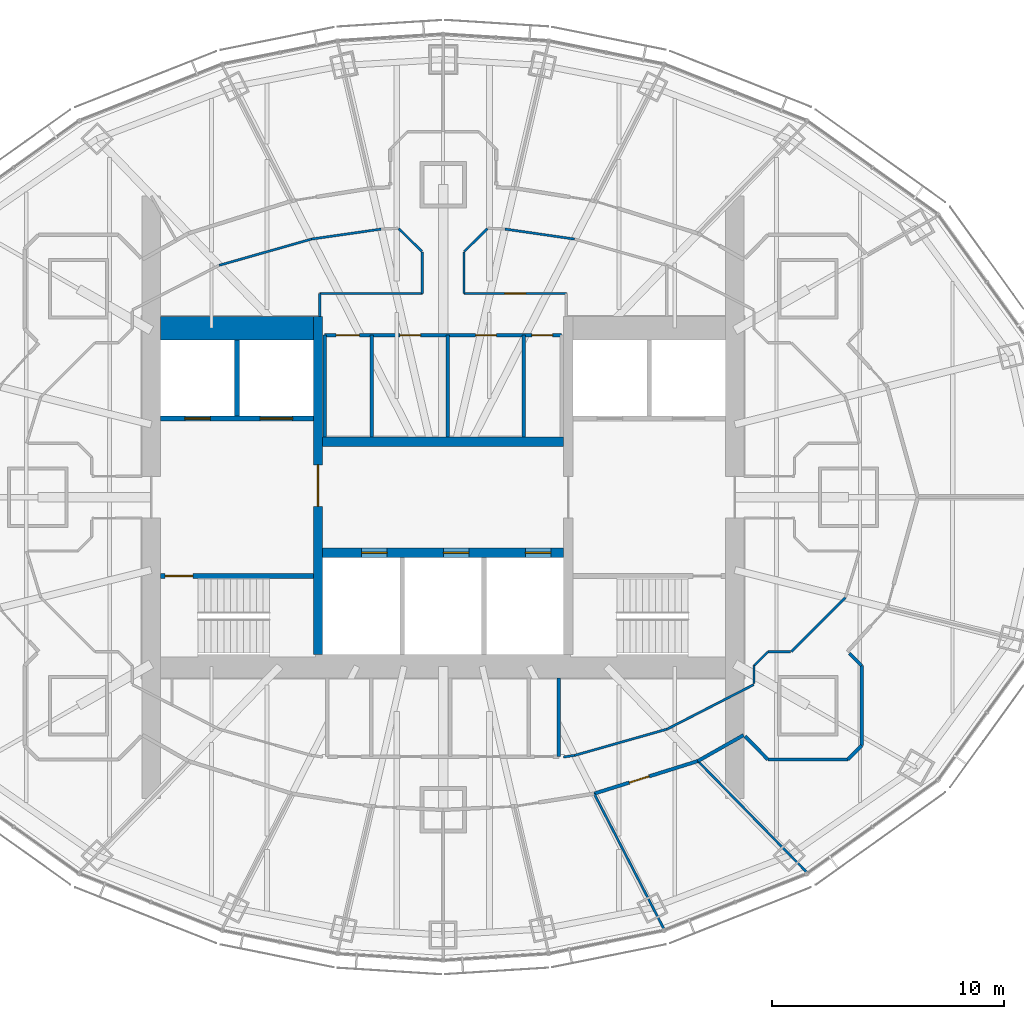
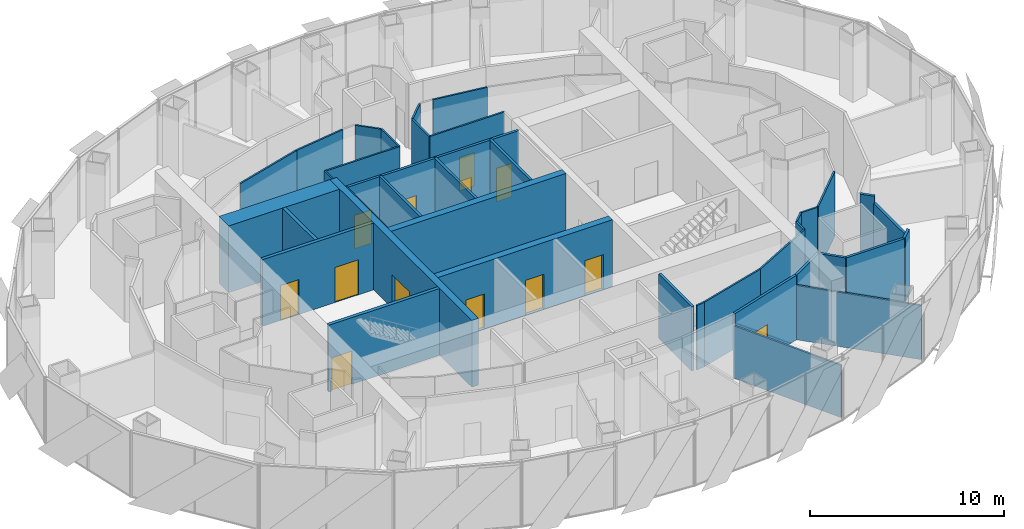
# One storey, part 13 of 18: 39 walls, 13 doors, 13 openings.
"""IFC4 building model written with IfcOpenShell, lengths in metres."""

import ifcopenshell
import ifcopenshell.guid

model = None  # the IFC model being written
_history = None  # IfcOwnerHistory: only IFC2X3 demands one
_inside = {}  # id of a spatial element -> (the spatial element, [elements in it])
_under = {}  # id of a project, library or spatial element -> (it, [spatial elements below it])
_declared = {}  # id of a project -> (the project, [libraries it declares])
_typed = {}  # id of a type object -> (the type object, [elements of that type])
_made_of = {}  # id of a material, layer set ... -> (it, [elements and type objects made of it])


def new_model(schema):
    """Start an empty IFC model of exactly this schema.

    Asked for "IFC4X3", IfcOpenShell would pick the latest addendum, in which some entities
    have other attributes; the version numbers below select the first issue.
    IFC2X3 requires an IfcOwnerHistory on every rooted entity: one is made here for all.
    """
    global model, _history
    if schema == "IFC4X3":
        model = ifcopenshell.file(schema_version=(4, 3, 0, 0))
    else:
        model = ifcopenshell.file(schema=schema)
    _inside.clear()
    _under.clear()
    _declared.clear()
    _typed.clear()
    _made_of.clear()
    _history = None
    if model.schema == "IFC2X3":
        org = make("IfcOrganization", Name="unknown")
        user = make(
            "IfcPersonAndOrganization",
            ThePerson=make("IfcPerson", FamilyName="unknown"),
            TheOrganization=org,
        )
        app = make(
            "IfcApplication",
            ApplicationDeveloper=org,
            Version="unknown",
            ApplicationFullName="unknown",
            ApplicationIdentifier="unknown",
        )
        _history = make(
            "IfcOwnerHistory",
            OwningUser=user,
            OwningApplication=app,
            ChangeAction="ADDED",
            CreationDate=0,
        )
    return model


def make(cls, **values):
    """One entity of the class cls with the attributes given. An attribute that is None is left unset."""
    return model.create_entity(
        cls, **{name: value for name, value in values.items() if value is not None}
    )


def rooted(cls, **values):
    """An entity with a GlobalId (a new one), such as an element, a storey or a relation."""
    return make(cls, GlobalId=ifcopenshell.guid.new(), OwnerHistory=_history, **values)


def si_unit(unit_type, name, prefix=None):
    """IfcSIUnit, for example si_unit("LENGTHUNIT", "METRE", prefix="MILLI")."""
    return make("IfcSIUnit", UnitType=unit_type, Prefix=prefix, Name=name)


def assignment(units):
    """IfcUnitAssignment: the units of a project."""
    return None if units is None else make("IfcUnitAssignment", Units=units)


def point(xyz):
    """IfcCartesianPoint."""
    return None if xyz is None else make("IfcCartesianPoint", Coordinates=xyz)


def direction(xyz):
    """IfcDirection."""
    return None if xyz is None else make("IfcDirection", DirectionRatios=xyz)


def frame(location, z_axis=None, x_axis=None):
    """IfcAxis2Placement3D, a coordinate frame: its origin and axes. An axis left out is left unset."""
    return make(
        "IfcAxis2Placement3D",
        Location=point(location),
        Axis=direction(z_axis),
        RefDirection=direction(x_axis),
    )


def frame_2d(location, x_axis=None):
    """IfcAxis2Placement2D, a coordinate frame in the plane: its origin and x axis."""
    return make(
        "IfcAxis2Placement2D", Location=point(location), RefDirection=direction(x_axis)
    )


def origin():
    """The frame at (0, 0, 0) with its axes left unset."""
    return frame((0.0, 0.0, 0.0))


def place(relative_to, where):
    """IfcLocalPlacement: puts the frame where relative to a parent placement (None: the world)."""
    return make(
        "IfcLocalPlacement", PlacementRelTo=relative_to, RelativePlacement=where
    )


def context(
    kind, dimensions, precision=None, world=None, true_north=None, identifier=None
):
    """IfcGeometricRepresentationContext, for example the 3D "Model" context."""
    return make(
        "IfcGeometricRepresentationContext",
        ContextIdentifier=identifier,
        ContextType=kind,
        CoordinateSpaceDimension=dimensions,
        Precision=precision,
        WorldCoordinateSystem=world,
        TrueNorth=true_north,
    )


def subcontext(parent, identifier, kind, view, scale=None):
    """IfcGeometricRepresentationSubContext, for example "Body" below "Model"."""
    return make(
        "IfcGeometricRepresentationSubContext",
        ContextIdentifier=identifier,
        ContextType=kind,
        ParentContext=parent,
        TargetScale=scale,
        TargetView=view,
    )


def project(units=None, contexts=None):
    """IfcProject with its units and contexts."""
    return rooted(
        "IfcProject",
        Name="project",
        RepresentationContexts=contexts,
        UnitsInContext=assignment(units),
    )


def spatial(cls, under=None, at=None, **own):
    """A site, building, storey or space (cls), placed at a placement, below another one or the project."""
    s = rooted(cls, ObjectPlacement=at, **own)
    if under is not None:
        _under.setdefault(under.id(), (under, []))[1].append(s)
    return s


def profile(cls, at=None, kind="AREA", **sizes):
    """A parametric profile (cls). Its sizes go by their IFC names, for example OverallWidth=200.0."""
    return make(cls, ProfileType=kind, Position=at, **sizes)


def rectangle(**sizes):
    """IfcRectangleProfileDef."""
    return profile("IfcRectangleProfileDef", **sizes)


def extrude(swept, where, along, depth):
    """IfcExtrudedAreaSolid: the profile swept, set in the frame where, extruded along a direction by depth."""
    return make(
        "IfcExtrudedAreaSolid",
        SweptArea=swept,
        Position=where,
        ExtrudedDirection=direction(along),
        Depth=depth,
    )


def shape(context_of_items, identifier, shape_type, items):
    """IfcShapeRepresentation: the items that make up one representation, for example the "Body"."""
    return make(
        "IfcShapeRepresentation",
        ContextOfItems=context_of_items,
        RepresentationIdentifier=identifier,
        RepresentationType=shape_type,
        Items=items,
    )


def material(Name=None, Category=None):
    """IfcMaterial."""
    return make("IfcMaterial", Name=Name, Category=Category)


def layer(
    of_material, thickness, ventilated=None, Name=None, Category=None, Priority=None
):
    """IfcMaterialLayer: one layer of a wall or slab, of a material (None: an air gap)."""
    return make(
        "IfcMaterialLayer",
        Material=of_material,
        LayerThickness=thickness,
        IsVentilated=ventilated,
        Name=Name,
        Category=Category,
        Priority=Priority,
    )


def layer_set(layers, Name=None):
    """IfcMaterialLayerSet."""
    return make("IfcMaterialLayerSet", MaterialLayers=layers, LayerSetName=Name)


def made_of(thing, what):
    """Note that an element or type object is made of a material, layer set ...; save() writes the relation."""
    if what is not None:
        _made_of.setdefault(what.id(), (what, []))[1].append(thing)
    return thing


def type_object(cls, material=None, **own):
    """A type object (cls), such as IfcWallType, which elements share."""
    return made_of(rooted(cls, **own), material)


def element(
    cls,
    number,
    at=None,
    inside=None,
    cuts=None,
    type_object=None,
    material=None,
    context=None,
    identifier="Body",
    shape_type=None,
    held_by="IfcProductDefinitionShape",
    body=None,
    shapes=None,
    **own,
):
    """One element of the class cls, such as IfcWall. Its Tag is "e" and its number.

    at: its placement. inside: the storey or other place that contains it. cuts: it is an
    opening in that element (IfcRelVoidsElement). A single representation is given by context,
    identifier, shape_type and body (its items); several are given by shapes. held_by: the class
    of the entity that holds the representations. save() writes the other relations.
    """
    e = rooted(cls, Tag="e%d" % number, ObjectPlacement=at, **own)
    if body is not None:
        shapes = [shape(context, identifier, shape_type, body)]
    if shapes is not None:
        e.Representation = make(held_by, Representations=shapes)
    if inside is not None:
        _inside.setdefault(inside.id(), (inside, []))[1].append(e)
    if cuts is not None:
        rooted(
            "IfcRelVoidsElement", RelatingBuildingElement=cuts, RelatedOpeningElement=e
        )
    if type_object is not None:
        _typed.setdefault(type_object.id(), (type_object, []))[1].append(e)
    return made_of(e, material)


def fill(opening, filler):
    """IfcRelFillsElement: the door or window that sits in an opening."""
    return rooted(
        "IfcRelFillsElement",
        RelatingOpeningElement=opening,
        RelatedBuildingElement=filler,
    )


def aggregate(whole, parts):
    """IfcRelAggregates: a whole, such as a stair, and the parts it consists of."""
    return rooted("IfcRelAggregates", RelatingObject=whole, RelatedObjects=parts)


def save(model, path):
    """Write the relations noted so far, then the file.

    IfcRelAggregates (storeys below a building ...), IfcRelContainedInSpatialStructure (elements
    in a storey), IfcRelDefinesByType, IfcRelAssociatesMaterial and IfcRelDeclares: one each for
    every whole, place, type object, material and project.
    """
    for whole, parts in _under.values():
        aggregate(whole, parts)
    for where, things in _inside.values():
        rooted(
            "IfcRelContainedInSpatialStructure",
            RelatedElements=things,
            RelatingStructure=where,
        )
    for kind, things in _typed.values():
        rooted("IfcRelDefinesByType", RelatedObjects=things, RelatingType=kind)
    for what, things in _made_of.values():
        rooted("IfcRelAssociatesMaterial", RelatedObjects=things, RelatingMaterial=what)
    for by, libraries in _declared.values():
        rooted("IfcRelDeclares", RelatingContext=by, RelatedDefinitions=libraries)
    model.write(path)


model = new_model("IFC4")

# Units and contexts
model_context = context("Model", 3, precision=1e-05, world=origin(), true_north=direction((0.0, 1.0)))
body_context = subcontext(model_context, "Body", "Model", "MODEL_VIEW")
ifc_project = project(units=[si_unit("LENGTHUNIT", "METRE"), si_unit("AREAUNIT", "SQUARE_METRE"), si_unit("VOLUMEUNIT", "CUBIC_METRE"), si_unit("PLANEANGLEUNIT", "RADIAN"), si_unit("MASSUNIT", "GRAM", prefix="KILO")], contexts=[model_context])

# Site, building, storey
site_placement = place(None, origin())
site = spatial("IfcSite", under=ifc_project, at=site_placement, CompositionType="ELEMENT")
building_placement = place(site_placement, origin())
building = spatial("IfcBuilding", under=site, at=building_placement, Name="Lantaw Convention Tower", CompositionType="ELEMENT")
storey_placement = place(building_placement, frame((0.0, 0.0, 228.39990234375)))
storey = spatial("IfcBuildingStorey", under=building, at=storey_placement, Name="L53", CompositionType="ELEMENT", Elevation=228.39990234375)

# Wall
ifc_material_1 = material(Name="Concrete C60/75", Category="concrete")
ifc_layer_1 = layer(ifc_material_1, 1.0)
ifc_layer_set_1 = layer_set([ifc_layer_1], Name="Core wall 1000")
wall_type_1 = type_object("IfcWallType", Name="Core wall 1000", PredefinedType="SHEAR", material=ifc_layer_set_1)
wall_1_placement = place(storey_placement, frame((-5.60009765625, 7.300048828125, 0.0), z_axis=(0.0, 0.0, 1.0), x_axis=(-1.0, 0.0, 0.0)))
element("IfcWall", 1, at=wall_1_placement, inside=storey, type_object=wall_type_1, Name="Core wall NW", PredefinedType="SHEAR", context=body_context, shape_type="SweptSolid", body=[
    extrude(rectangle(XDim=6.599853515625, YDim=1.0, at=frame_2d((3.2998046875, 0.0))), origin(), (0.0, 0.0, 1.0), 4.2001953125),
])

# Wall, opening, door
ifc_layer_2 = layer(ifc_material_1, 0.199951171875)
ifc_layer_set_2 = layer_set([ifc_layer_2], Name="Core wall 200")
wall_type_2 = type_object("IfcWallType", Name="Core wall 200", PredefinedType="SHEAR", material=ifc_layer_set_2)
wall_2_placement = place(storey_placement, frame((-5.60009765625, -3.39990234375, 0.0), z_axis=(0.0, 0.0, 1.0), x_axis=(-1.0, 0.0, 0.0)))
wall_2 = element("IfcWall", 2, at=wall_2_placement, inside=storey, type_object=wall_type_2, Name="Core wall WS", PredefinedType="SHEAR", context=body_context, shape_type="SweptSolid", body=[
    extrude(rectangle(XDim=6.599853515625, YDim=0.199951171875, at=frame_2d((3.2998046875, 0.0))), origin(), (0.0, 0.0, 1.0), 4.2001953125),
])
opening_1_placement = place(wall_2_placement, frame((5.199951171875, 0.0, 0.0)))
opening_1 = element("IfcOpeningElement", 3, at=opening_1_placement, cuts=wall_2, Name="Opening L53.04", PredefinedType="OPENING", context=body_context, shape_type="SweptSolid", body=[
    extrude(rectangle(XDim=1.199951171875, YDim=2.10009765625, at=frame_2d((0.60009765625, 1.050048828125))), frame((0.0, 0.10986328125, 0.0), z_axis=(0.0, -1.0, 0.0), x_axis=(1.0, 0.0, 0.0)), (0.0, 0.0, 1.0), 0.219970703125),
])
ifc_material_2 = material(Name="Steel, fire rated", Category="steel")
door_type_1 = type_object("IfcDoorType", Name="Stair door FD90", OperationType="SINGLE_SWING_RIGHT", PredefinedType="DOOR", material=ifc_material_2)
door_1_placement = place(opening_1_placement, origin())
door_1 = element("IfcDoor", 4, at=door_1_placement, inside=storey, type_object=door_type_1, Name="Exit stair door", OperationType="SINGLE_SWING_RIGHT", OverallHeight=2.10009765625, OverallWidth=1.199951171875, PredefinedType="DOOR", context=body_context, shape_type="SweptSolid", body=[
    extrude(rectangle(XDim=1.199951171875, YDim=2.10009765625, at=frame_2d((0.60009765625, 1.050048828125))), frame((0.0, 0.02490234375, 0.0), z_axis=(0.0, -1.0, 0.0), x_axis=(1.0, 0.0, 0.0)), (0.0, 0.0, 1.0), 0.050048828125),
])
fill(opening_1, door_1)

ifc_layer_3 = layer(ifc_material_1, 0.39990234375)
ifc_layer_set_3 = layer_set([ifc_layer_3], Name="Core wall 400")
wall_type_3 = type_object("IfcWallType", Name="Core wall 400", PredefinedType="SHEAR", material=ifc_layer_set_3)
wall_3_placement = place(storey_placement, frame((-5.39990234375, 7.800048828125, 0.0), z_axis=(0.0, 0.0, 1.0), x_axis=(0.0, -1.0, 0.0)))
wall_3 = element("IfcWall", 5, at=wall_3_placement, inside=storey, type_object=wall_type_3, Name="Core wall XW", PredefinedType="SHEAR", context=body_context, shape_type="SweptSolid", body=[
    extrude(rectangle(XDim=14.60009765625, YDim=0.39990234375, at=frame_2d((7.300048828125, 0.0))), origin(), (0.0, 0.0, 1.0), 4.2001953125),
])
opening_2_placement = place(wall_3_placement, frame((6.39990234375, 0.0, 0.0)))
opening_2 = element("IfcOpeningElement", 6, at=opening_2_placement, cuts=wall_3, Name="Opening L53.02", PredefinedType="OPENING", context=body_context, shape_type="SweptSolid", body=[
    extrude(rectangle(XDim=1.800048828125, YDim=2.10009765625, at=frame_2d((0.89990234375, 1.050048828125))), frame((0.0, 0.2099609375, 0.0), z_axis=(0.0, -1.0, 0.0), x_axis=(1.0, 0.0, 0.0)), (0.0, 0.0, 1.0), 0.419921875),
])
door_type_2 = type_object("IfcDoorType", Name="Lobby double door FD90", OperationType="DOUBLE_DOOR_DOUBLE_SWING", PredefinedType="DOOR", material=ifc_material_2)
door_2_placement = place(opening_2_placement, origin())
door_2 = element("IfcDoor", 7, at=door_2_placement, inside=storey, type_object=door_type_2, Name="Lift lobby door", OperationType="DOUBLE_DOOR_DOUBLE_SWING", OverallHeight=2.10009765625, OverallWidth=1.800048828125, PredefinedType="DOOR", context=body_context, shape_type="SweptSolid", body=[
    extrude(rectangle(XDim=1.800048828125, YDim=2.10009765625, at=frame_2d((0.89990234375, 1.050048828125))), frame((0.0, 0.02490234375, 0.0), z_axis=(0.0, -1.0, 0.0), x_axis=(1.0, 0.0, 0.0)), (0.0, 0.0, 1.0), 0.050048828125),
])
fill(opening_2, door_2)

# Wall, openings, doors
wall_4_placement = place(storey_placement, frame((-5.199951171875, -2.39990234375, 0.0), z_axis=(0.0, 0.0, 1.0), x_axis=(1.0, 0.0, 0.0)))
wall_4 = element("IfcWall", 8, at=wall_4_placement, inside=storey, type_object=wall_type_3, Name="Core wall BS", PredefinedType="SHEAR", context=body_context, shape_type="SweptSolid", body=[
    extrude(rectangle(XDim=10.39990234375, YDim=0.39990234375, at=frame_2d((5.199951171875, 0.0))), origin(), (0.0, 0.0, 1.0), 4.2001953125),
])
opening_3_placement = place(wall_4_placement, frame((1.683349609375, 0.0, 0.0)))
opening_3 = element("IfcOpeningElement", 9, at=opening_3_placement, cuts=wall_4, Name="Opening L53.07", PredefinedType="OPENING", context=body_context, shape_type="SweptSolid", body=[
    extrude(rectangle(XDim=1.10009765625, YDim=2.199951171875, at=frame_2d((0.550048828125, 1.10009765625))), frame((0.0, 0.2099609375, 0.0), z_axis=(0.0, -1.0, 0.0), x_axis=(1.0, 0.0, 0.0)), (0.0, 0.0, 1.0), 0.419921875),
])
opening_4_placement = place(wall_4_placement, frame((5.216796875, 0.0, 0.0)))
opening_4 = element("IfcOpeningElement", 10, at=opening_4_placement, cuts=wall_4, Name="Opening L53.08", PredefinedType="OPENING", context=body_context, shape_type="SweptSolid", body=[
    extrude(rectangle(XDim=1.10009765625, YDim=2.199951171875, at=frame_2d((0.550048828125, 1.10009765625))), frame((0.0, 0.2099609375, 0.0), z_axis=(0.0, -1.0, 0.0), x_axis=(1.0, 0.0, 0.0)), (0.0, 0.0, 1.0), 0.419921875),
])
opening_5_placement = place(wall_4_placement, frame((8.75, 0.0, 0.0)))
opening_5 = element("IfcOpeningElement", 11, at=opening_5_placement, cuts=wall_4, Name="Opening L53.09", PredefinedType="OPENING", context=body_context, shape_type="SweptSolid", body=[
    extrude(rectangle(XDim=1.10009765625, YDim=2.199951171875, at=frame_2d((0.550048828125, 1.10009765625))), frame((0.0, 0.2099609375, 0.0), z_axis=(0.0, -1.0, 0.0), x_axis=(1.0, 0.0, 0.0)), (0.0, 0.0, 1.0), 0.419921875),
])
ifc_material_3 = material(Name="Stainless steel", Category="steel")
door_type_3 = type_object("IfcDoorType", Name="Lift landing door 1100", OperationType="DOUBLE_DOOR_SLIDING", PredefinedType="DOOR", material=ifc_material_3)
door_3_placement = place(opening_3_placement, origin())
door_3 = element("IfcDoor", 12, at=door_3_placement, inside=storey, type_object=door_type_3, Name="Lift landing door S1", OperationType="DOUBLE_DOOR_SLIDING", OverallHeight=2.199951171875, OverallWidth=1.10009765625, PredefinedType="DOOR", context=body_context, shape_type="SweptSolid", body=[
    extrude(rectangle(XDim=1.10009765625, YDim=2.199951171875, at=frame_2d((0.550048828125, 1.10009765625))), frame((0.0, 0.02490234375, 0.0), z_axis=(0.0, -1.0, 0.0), x_axis=(1.0, 0.0, 0.0)), (0.0, 0.0, 1.0), 0.050048828125),
])
fill(opening_3, door_3)
door_4_placement = place(opening_4_placement, origin())
door_4 = element("IfcDoor", 13, at=door_4_placement, inside=storey, type_object=door_type_3, Name="Lift landing door S2", OperationType="DOUBLE_DOOR_SLIDING", OverallHeight=2.199951171875, OverallWidth=1.10009765625, PredefinedType="DOOR", context=body_context, shape_type="SweptSolid", body=[
    extrude(rectangle(XDim=1.10009765625, YDim=2.199951171875, at=frame_2d((0.550048828125, 1.10009765625))), frame((0.0, 0.02490234375, 0.0), z_axis=(0.0, -1.0, 0.0), x_axis=(1.0, 0.0, 0.0)), (0.0, 0.0, 1.0), 0.050048828125),
])
fill(opening_4, door_4)
door_5_placement = place(opening_5_placement, origin())
door_5 = element("IfcDoor", 14, at=door_5_placement, inside=storey, type_object=door_type_3, Name="Lift landing door S3", OperationType="DOUBLE_DOOR_SLIDING", OverallHeight=2.199951171875, OverallWidth=1.10009765625, PredefinedType="DOOR", context=body_context, shape_type="SweptSolid", body=[
    extrude(rectangle(XDim=1.10009765625, YDim=2.199951171875, at=frame_2d((0.550048828125, 1.10009765625))), frame((0.0, 0.02490234375, 0.0), z_axis=(0.0, -1.0, 0.0), x_axis=(1.0, 0.0, 0.0)), (0.0, 0.0, 1.0), 0.050048828125),
])
fill(opening_5, door_5)

# Wall
wall_5_placement = place(storey_placement, frame((5.199951171875, 2.39990234375, 0.0), z_axis=(0.0, 0.0, 1.0), x_axis=(-1.0, 0.0, 0.0)))
element("IfcWall", 15, at=wall_5_placement, inside=storey, type_object=wall_type_3, Name="Core wall BN", PredefinedType="SHEAR", context=body_context, shape_type="SweptSolid", body=[
    extrude(rectangle(XDim=10.39990234375, YDim=0.39990234375, at=frame_2d((5.199951171875, 0.0))), origin(), (0.0, 0.0, 1.0), 4.2001953125),
])

# Wall, opening, door
ifc_material_4 = material(Name="Gypsum board on steel studs, fire rated", Category="steel")
ifc_layer_4 = layer(ifc_material_4, 0.14990234375)
ifc_layer_set_4 = layer_set([ifc_layer_4], Name="Corridor wall 150 EI 60")
wall_type_4 = type_object("IfcWallType", Name="Corridor wall 150 EI 60", PredefinedType="PARTITIONING", material=ifc_layer_set_4)
wall_6_placement = place(storey_placement, frame((6.521240234375, -12.798828125, 0.0), z_axis=(0.0, 0.0, 1.0), x_axis=(0.954031103669, 0.299707612903, 0.0)))
wall_6 = element("IfcWall", 16, at=wall_6_placement, inside=storey, type_object=wall_type_4, Name="Corridor wall 150", PredefinedType="PARTITIONING", context=body_context, shape_type="SweptSolid", body=[
    extrude(rectangle(XDim=4.6953125, YDim=0.14990234375, at=frame_2d((2.34765625, 0.0))), origin(), (0.0, 0.0, 1.0), 4.050048828125),
])
opening_6_placement = place(wall_6_placement, frame((1.589111328125, 0.0, 0.0)))
opening_6 = element("IfcOpeningElement", 17, at=opening_6_placement, cuts=wall_6, Name="Opening L53.42", PredefinedType="OPENING", context=body_context, shape_type="SweptSolid", body=[
    extrude(rectangle(XDim=0.89990234375, YDim=2.10009765625, at=frame_2d((0.449951171875, 1.050048828125))), frame((0.0, 0.0849609375, 0.0), z_axis=(0.0, -1.0, 0.0), x_axis=(1.0, 0.0, 0.0)), (0.0, 0.0, 1.0), 0.169921875),
])
door_type_4 = type_object("IfcDoorType", Name="Office door 900 FD30", OperationType="SINGLE_SWING_LEFT", PredefinedType="DOOR", material=ifc_material_2)
door_6_placement = place(opening_6_placement, origin())
door_6 = element("IfcDoor", 18, at=door_6_placement, inside=storey, type_object=door_type_4, Name="Private office door", OperationType="SINGLE_SWING_LEFT", OverallHeight=2.10009765625, OverallWidth=0.89990234375, PredefinedType="DOOR", context=body_context, shape_type="SweptSolid", body=[
    extrude(rectangle(XDim=0.89990234375, YDim=2.10009765625, at=frame_2d((0.449951171875, 1.050048828125))), frame((0.0, 0.02490234375, 0.0), z_axis=(0.0, -1.0, 0.0), x_axis=(1.0, 0.0, 0.0)), (0.0, 0.0, 1.0), 0.050048828125),
])
fill(opening_6, door_6)

# Walls
wall_7_placement = place(storey_placement, frame((11.000732421875, -11.3916015625, 0.0), z_axis=(0.0, 0.0, 1.0), x_axis=(0.869722107117, 0.493541747366, 0.0)))
element("IfcWall", 19, at=wall_7_placement, inside=storey, type_object=wall_type_4, Name="Corridor wall 150", PredefinedType="PARTITIONING", context=body_context, shape_type="SweptSolid", body=[
    extrude(rectangle(XDim=2.26953125, YDim=0.14990234375, at=frame_2d((1.134765625, 0.0))), origin(), (0.0, 0.0, 1.0), 4.050048828125),
])
wall_8_placement = place(storey_placement, frame((17.537841796875, -6.73828125, 0.0), z_axis=(0.0, 0.0, 1.0), x_axis=(0.707106781187, -0.707106781187, 0.0)))
element("IfcWall", 20, at=wall_8_placement, inside=storey, type_object=wall_type_4, Name="Corridor wall 150", PredefinedType="PARTITIONING", context=body_context, shape_type="SweptSolid", body=[
    extrude(rectangle(XDim=0.759521484375, YDim=0.14990234375, at=frame_2d((0.3798828125, 0.0))), origin(), (0.0, 0.0, 1.0), 4.050048828125),
])
wall_9_placement = place(storey_placement, frame((18.074951171875, -7.275390625, 0.0), z_axis=(0.0, 0.0, 1.0), x_axis=(0.0, -1.0, 0.0)))
element("IfcWall", 21, at=wall_9_placement, inside=storey, type_object=wall_type_4, Name="Corridor wall 150", PredefinedType="PARTITIONING", context=body_context, shape_type="SweptSolid", body=[
    extrude(rectangle(XDim=3.44921875, YDim=0.14990234375, at=frame_2d((1.724609375, 0.0))), origin(), (0.0, 0.0, 1.0), 3.6005859375),
])
wall_10_placement = place(storey_placement, frame((18.074951171875, -10.724609375, 0.0), z_axis=(0.0, 0.0, 1.0), x_axis=(-0.707106781187, -0.707106781187, 0.0)))
element("IfcWall", 22, at=wall_10_placement, inside=storey, type_object=wall_type_4, Name="Corridor wall 150", PredefinedType="PARTITIONING", context=body_context, shape_type="SweptSolid", body=[
    extrude(rectangle(XDim=0.84912109375, YDim=0.14990234375, at=frame_2d((0.424560546875, 0.0))), origin(), (0.0, 0.0, 1.0), 4.050048828125),
])
wall_11_placement = place(storey_placement, frame((17.474609375, -11.324951171875, 0.0), z_axis=(0.0, 0.0, 1.0), x_axis=(-1.0, 0.0, 0.0)))
element("IfcWall", 23, at=wall_11_placement, inside=storey, type_object=wall_type_4, Name="Corridor wall 150", PredefinedType="PARTITIONING", context=body_context, shape_type="SweptSolid", body=[
    extrude(rectangle(XDim=3.44921875, YDim=0.14990234375, at=frame_2d((1.724609375, 0.0))), origin(), (0.0, 0.0, 1.0), 4.050048828125),
])
wall_12_placement = place(storey_placement, frame((14.025390625, -11.324951171875, 0.0), z_axis=(0.0, 0.0, 1.0), x_axis=(-0.701113567316, 0.713049623606, 0.0)))
element("IfcWall", 24, at=wall_12_placement, inside=storey, type_object=wall_type_4, Name="Corridor wall 150", PredefinedType="PARTITIONING", context=body_context, shape_type="SweptSolid", body=[
    extrude(rectangle(XDim=1.411376953125, YDim=0.14990234375, at=frame_2d((0.70556640625, 0.0))), origin(), (0.0, 0.0, 1.0), 4.050048828125),
])
ifc_material_5 = material(Name="Gypsum board on steel studs, acoustic", Category="steel")
ifc_layer_5 = layer(ifc_material_5, 0.10009765625)
ifc_layer_set_5 = layer_set([ifc_layer_5], Name="Office partition 100")
wall_type_5 = type_object("IfcWallType", Name="Office partition 100", PredefinedType="PARTITIONING", material=ifc_layer_set_5)
wall_13_placement = place(storey_placement, frame((9.53955078125, -18.650390625, 0.0), z_axis=(0.0, 0.0, 1.0), x_axis=(-0.458420942987, 0.888735190611, 0.0)))
element("IfcWall", 25, at=wall_13_placement, inside=storey, type_object=wall_type_5, Name="Office partition 100", PredefinedType="PARTITIONING", context=body_context, shape_type="SweptSolid", body=[
    extrude(rectangle(XDim=6.584228515625, YDim=0.10009765625, at=frame_2d((3.2919921875, 0.0))), origin(), (0.0, 0.0, 1.0), 3.293212890625),
])
wall_14_placement = place(storey_placement, frame((15.70947265625, -16.19873046875, 0.0), z_axis=(0.0, 0.0, 1.0), x_axis=(-0.699758297028, 0.71437967898, 0.0)))
element("IfcWall", 26, at=wall_14_placement, inside=storey, type_object=wall_type_5, Name="Office partition 100", PredefinedType="PARTITIONING", context=body_context, shape_type="SweptSolid", body=[
    extrude(rectangle(XDim=6.72900390625, YDim=0.10009765625, at=frame_2d((3.364501953125, 0.0))), origin(), (0.0, 0.0, 1.0), 3.409912109375),
])
wall_15_placement = place(storey_placement, frame((9.67041015625, -10.01416015625, 0.0), z_axis=(0.0, 0.0, 1.0), x_axis=(-0.961973498971, -0.273142796496, 0.0)))
element("IfcWall", 27, at=wall_15_placement, inside=storey, type_object=wall_type_5, Name="Office partition 100", PredefinedType="PARTITIONING", context=body_context, shape_type="SweptSolid", body=[
    extrude(rectangle(XDim=4.148193359375, YDim=0.10009765625, at=frame_2d((2.07421875, 0.0))), origin(), (0.0, 0.0, 1.0), 4.050048828125),
])
wall_16_placement = place(storey_placement, frame((5.679931640625, -11.147216796875, 0.0), z_axis=(0.0, 0.0, 1.0), x_axis=(-0.989797891768, -0.142478536811, 0.0)))
element("IfcWall", 28, at=wall_16_placement, inside=storey, type_object=wall_type_5, Name="Office partition 100", PredefinedType="PARTITIONING", context=body_context, shape_type="SweptSolid", body=[
    extrude(rectangle(XDim=0.48486328125, YDim=0.10009765625, at=frame_2d((0.242431640625, 0.0))), origin(), (0.0, 0.0, 1.0), 4.050048828125),
])

# Wall, opening, door
wall_17_placement = place(storey_placement, frame((5.320068359375, 8.800048828125, 0.0), z_axis=(0.0, 0.0, 1.0), x_axis=(-1.0, 0.0, 0.0)))
wall_17 = element("IfcWall", 29, at=wall_17_placement, inside=storey, type_object=wall_type_5, Name="Office partition 100", PredefinedType="PARTITIONING", context=body_context, shape_type="SweptSolid", body=[
    extrude(rectangle(XDim=4.420166015625, YDim=0.10009765625, at=frame_2d((2.2099609375, 0.0))), origin(), (0.0, 0.0, 1.0), 4.050048828125),
])
opening_7_placement = place(wall_17_placement, frame((1.760009765625, 0.0, 0.0)))
opening_7 = element("IfcOpeningElement", 30, at=opening_7_placement, cuts=wall_17, Name="Opening L53.25", PredefinedType="OPENING", context=body_context, shape_type="SweptSolid", body=[
    extrude(rectangle(XDim=0.89990234375, YDim=2.10009765625, at=frame_2d((0.449951171875, 1.050048828125))), frame((0.0, 0.06005859375, 0.0), z_axis=(0.0, -1.0, 0.0), x_axis=(1.0, 0.0, 0.0)), (0.0, 0.0, 1.0), 0.1201171875),
])
ifc_material_6 = material(Name="Timber", Category="wood")
door_type_5 = type_object("IfcDoorType", Name="Office door 900", OperationType="SINGLE_SWING_LEFT", PredefinedType="DOOR", material=ifc_material_6)
door_7_placement = place(opening_7_placement, origin())
door_7 = element("IfcDoor", 31, at=door_7_placement, inside=storey, type_object=door_type_5, Name="Meeting room door", OperationType="SINGLE_SWING_LEFT", OverallHeight=2.10009765625, OverallWidth=0.89990234375, PredefinedType="DOOR", context=body_context, shape_type="SweptSolid", body=[
    extrude(rectangle(XDim=0.89990234375, YDim=2.10009765625, at=frame_2d((0.449951171875, 1.050048828125))), frame((0.0, 0.02490234375, 0.0), z_axis=(0.0, -1.0, 0.0), x_axis=(1.0, 0.0, 0.0)), (0.0, 0.0, 1.0), 0.050048828125),
])
fill(opening_7, door_7)

# Walls
wall_18_placement = place(storey_placement, frame((2.67333984375, 11.579833984375, 0.0), z_axis=(0.0, 0.0, 1.0), x_axis=(0.989805921373, -0.142422744025, 0.0)))
element("IfcWall", 32, at=wall_18_placement, inside=storey, type_object=wall_type_5, Name="Office partition 100", PredefinedType="PARTITIONING", context=body_context, shape_type="SweptSolid", body=[
    extrude(rectangle(XDim=3.03759765625, YDim=0.10009765625, at=frame_2d((1.518798828125, 0.0))), origin(), (0.0, 0.0, 1.0), 4.050048828125),
])
wall_19_placement = place(storey_placement, frame((-9.67041015625, 10.01416015625, 0.0), z_axis=(0.0, 0.0, 1.0), x_axis=(0.961973498971, 0.273142796496, 0.0)))
element("IfcWall", 33, at=wall_19_placement, inside=storey, type_object=wall_type_5, Name="Office partition 100", PredefinedType="PARTITIONING", context=body_context, shape_type="SweptSolid", body=[
    extrude(rectangle(XDim=4.148193359375, YDim=0.10009765625, at=frame_2d((2.07421875, 0.0))), origin(), (0.0, 0.0, 1.0), 4.050048828125),
])
wall_20_placement = place(storey_placement, frame((-5.679931640625, 11.147216796875, 0.0), z_axis=(0.0, 0.0, 1.0), x_axis=(0.989805921373, 0.142422744025, 0.0)))
element("IfcWall", 34, at=wall_20_placement, inside=storey, type_object=wall_type_5, Name="Office partition 100", PredefinedType="PARTITIONING", context=body_context, shape_type="SweptSolid", body=[
    extrude(rectangle(XDim=3.03759765625, YDim=0.10009765625, at=frame_2d((1.518798828125, 0.0))), origin(), (0.0, 0.0, 1.0), 4.050048828125),
])
wall_21_placement = place(storey_placement, frame((-0.89990234375, 8.800048828125, 0.0), z_axis=(0.0, 0.0, 1.0), x_axis=(-1.0, 0.0, 0.0)))
element("IfcWall", 35, at=wall_21_placement, inside=storey, type_object=wall_type_5, Name="Office partition 100", PredefinedType="PARTITIONING", context=body_context, shape_type="SweptSolid", body=[
    extrude(rectangle(XDim=4.420166015625, YDim=0.10009765625, at=frame_2d((2.2099609375, 0.0))), origin(), (0.0, 0.0, 1.0), 4.050048828125),
])
wall_22_placement = place(storey_placement, frame((-5.320068359375, 8.800048828125, 0.0), z_axis=(0.0, 0.0, 1.0), x_axis=(0.0, -1.0, 0.0)))
element("IfcWall", 36, at=wall_22_placement, inside=storey, type_object=wall_type_5, Name="Office partition 100", PredefinedType="PARTITIONING", context=body_context, shape_type="SweptSolid", body=[
    extrude(rectangle(XDim=1.0, YDim=0.10009765625, at=frame_2d((0.5, 0.0))), origin(), (0.0, 0.0, 1.0), 4.050048828125),
])
for number, where, z_axis, x_axis, name in (
    (37, (0.89990234375, 8.800048828125, 0.0), (0.0, 0.0, 1.0), (0.0, 1.0, 0.0), "Office partition 100"),
    (38, (-0.89990234375, 10.58544921875, 0.0), (0.0, 0.0, 1.0), (0.0, -1.0, 0.0), "Office partition 100"),
):
    element("IfcWall", number, at=place(storey_placement, frame(where, z_axis=z_axis, x_axis=x_axis)), inside=storey, type_object=wall_type_5, Name=name, PredefinedType="PARTITIONING", context=body_context, shape_type="SweptSolid", body=[
        extrude(rectangle(XDim=1.785400390625, YDim=0.10009765625, at=frame_2d((0.892578125, 0.0))), origin(), (0.0, 0.0, 1.0), 4.050048828125),
    ])
for number, where, z_axis, x_axis, name in (
    (39, (1.913330078125, 11.595947265625, 0.0), (0.0, 0.0, 1.0), (-0.71318945388, -0.70097132814, 0.0), "Office partition 100"),
    (40, (-0.915771484375, 10.615478515625, 0.0), (0.0, 0.0, 1.0), (-0.71318945388, 0.70097132814, 0.0), "Office partition 100"),
):
    element("IfcWall", number, at=place(storey_placement, frame(where, z_axis=z_axis, x_axis=x_axis)), inside=storey, type_object=wall_type_5, Name=name, PredefinedType="PARTITIONING", context=body_context, shape_type="SweptSolid", body=[
        extrude(rectangle(XDim=1.398681640625, YDim=0.10009765625, at=frame_2d((0.69921875, 0.0))), origin(), (0.0, 0.0, 1.0), 4.050048828125),
    ])
wall_23_placement = place(storey_placement, frame((17.37158203125, -4.331298828125, 0.0), z_axis=(0.0, 0.0, 1.0), x_axis=(-0.707587114823, -0.70662612104, 0.0)))
element("IfcWall", 41, at=wall_23_placement, inside=storey, type_object=wall_type_5, Name="Office partition 100", PredefinedType="PARTITIONING", context=body_context, shape_type="SweptSolid", body=[
    extrude(rectangle(XDim=3.302734375, YDim=0.10009765625, at=frame_2d((1.6513671875, 0.0))), origin(), (0.0, 0.0, 1.0), 4.050048828125),
])
wall_24_placement = place(storey_placement, frame((13.4150390625, -8.091796875, 0.0), z_axis=(0.0, 0.0, 1.0), x_axis=(-0.889620520549, -0.45670048108, 0.0)))
element("IfcWall", 42, at=wall_24_placement, inside=storey, type_object=wall_type_5, Name="Office partition 100", PredefinedType="PARTITIONING", context=body_context, shape_type="SweptSolid", body=[
    extrude(rectangle(XDim=4.209228515625, YDim=0.10009765625, at=frame_2d((2.1044921875, 0.0))), origin(), (0.0, 0.0, 1.0), 4.050048828125),
])
wall_25_placement = place(storey_placement, frame((13.425048828125, -8.045654296875, 0.0), z_axis=(0.0, 0.0, 1.0), x_axis=(0.0, 1.0, 0.0)))
element("IfcWall", 43, at=wall_25_placement, inside=storey, type_object=wall_type_5, Name="Office partition 100", PredefinedType="PARTITIONING", context=body_context, shape_type="SweptSolid", body=[
    extrude(rectangle(XDim=0.770263671875, YDim=0.10009765625, at=frame_2d((0.38525390625, 0.0))), origin(), (0.0, 0.0, 1.0), 4.050048828125),
])
wall_26_placement = place(storey_placement, frame((13.425048828125, -7.275390625, 0.0), z_axis=(0.0, 0.0, 1.0), x_axis=(0.707106781187, 0.707106781187, 0.0)))
element("IfcWall", 44, at=wall_26_placement, inside=storey, type_object=wall_type_5, Name="Office partition 100", PredefinedType="PARTITIONING", context=body_context, shape_type="SweptSolid", body=[
    extrude(rectangle(XDim=0.84912109375, YDim=0.10009765625, at=frame_2d((0.424560546875, 0.0))), origin(), (0.0, 0.0, 1.0), 4.050048828125),
])
wall_27_placement = place(storey_placement, frame((14.025390625, -6.675048828125, 0.0), z_axis=(0.0, 0.0, 1.0), x_axis=(1.0, 0.0, 0.0)))
element("IfcWall", 45, at=wall_27_placement, inside=storey, type_object=wall_type_5, Name="Office partition 100", PredefinedType="PARTITIONING", context=body_context, shape_type="SweptSolid", body=[
    extrude(rectangle(XDim=0.976806640625, YDim=0.10009765625, at=frame_2d((0.48828125, 0.0))), origin(), (0.0, 0.0, 1.0), 4.050048828125),
])

# Wall, openings, doors
ifc_material_7 = material(Name="Concrete blockwork, fire rated", Category="masonry")
ifc_layer_6 = layer(ifc_material_7, 0.199951171875)
ifc_layer_set_6 = layer_set([ifc_layer_6], Name="Shaft wall 200")
wall_type_6 = type_object("IfcWallType", Name="Shaft wall 200", PredefinedType="SOLIDWALL", material=ifc_layer_set_6)
wall_28_placement = place(storey_placement, frame((-12.199951171875, 3.39990234375, 0.0), z_axis=(0.0, 0.0, 1.0), x_axis=(1.0, 0.0, 0.0)))
wall_28 = element("IfcWall", 46, at=wall_28_placement, inside=storey, type_object=wall_type_6, Name="Shaft wall WN", PredefinedType="SOLIDWALL", context=body_context, shape_type="SweptSolid", body=[
    extrude(rectangle(XDim=6.599853515625, YDim=0.199951171875, at=frame_2d((3.2998046875, 0.0))), origin(), (0.0, 0.0, 1.0), 4.2001953125),
])
opening_8_placement = place(wall_28_placement, frame((1.050048828125, 0.0, 0.0)))
opening_8 = element("IfcOpeningElement", 47, at=opening_8_placement, cuts=wall_28, Name="Opening L53.10", PredefinedType="OPENING", context=body_context, shape_type="SweptSolid", body=[
    extrude(rectangle(XDim=1.10009765625, YDim=2.199951171875, at=frame_2d((0.550048828125, 1.10009765625))), frame((0.0, 0.10986328125, 0.0), z_axis=(0.0, -1.0, 0.0), x_axis=(1.0, 0.0, 0.0)), (0.0, 0.0, 1.0), 0.219970703125),
])
opening_9_placement = place(wall_28_placement, frame((4.300048828125, 0.0, 0.0)))
opening_9 = element("IfcOpeningElement", 48, at=opening_9_placement, cuts=wall_28, Name="Opening L53.11", PredefinedType="OPENING", context=body_context, shape_type="SweptSolid", body=[
    extrude(rectangle(XDim=1.39990234375, YDim=2.199951171875, at=frame_2d((0.699951171875, 1.10009765625))), frame((0.0, 0.10986328125, 0.0), z_axis=(0.0, -1.0, 0.0), x_axis=(1.0, 0.0, 0.0)), (0.0, 0.0, 1.0), 0.219970703125),
])
door_8_placement = place(opening_8_placement, origin())
door_8 = element("IfcDoor", 49, at=door_8_placement, inside=storey, type_object=door_type_3, Name="Lift landing door FF1", OperationType="DOUBLE_DOOR_SLIDING", OverallHeight=2.199951171875, OverallWidth=1.10009765625, PredefinedType="DOOR", context=body_context, shape_type="SweptSolid", body=[
    extrude(rectangle(XDim=1.10009765625, YDim=2.199951171875, at=frame_2d((0.550048828125, 1.10009765625))), frame((0.0, 0.02490234375, 0.0), z_axis=(0.0, -1.0, 0.0), x_axis=(1.0, 0.0, 0.0)), (0.0, 0.0, 1.0), 0.050048828125),
])
fill(opening_8, door_8)
door_type_6 = type_object("IfcDoorType", Name="Lift landing door 1400", OperationType="DOUBLE_DOOR_SLIDING", PredefinedType="DOOR", material=ifc_material_3)
door_9_placement = place(opening_9_placement, origin())
door_9 = element("IfcDoor", 50, at=door_9_placement, inside=storey, type_object=door_type_6, Name="Lift landing door SV1", OperationType="DOUBLE_DOOR_SLIDING", OverallHeight=2.199951171875, OverallWidth=1.39990234375, PredefinedType="DOOR", context=body_context, shape_type="SweptSolid", body=[
    extrude(rectangle(XDim=1.39990234375, YDim=2.199951171875, at=frame_2d((0.699951171875, 1.10009765625))), frame((0.0, 0.02490234375, 0.0), z_axis=(0.0, -1.0, 0.0), x_axis=(1.0, 0.0, 0.0)), (0.0, 0.0, 1.0), 0.050048828125),
])
fill(opening_9, door_9)

# Wall
wall_29_placement = place(storey_placement, frame((-8.89990234375, 3.5, 0.0), z_axis=(0.0, 0.0, 1.0), x_axis=(0.0, 1.0, 0.0)))
element("IfcWall", 51, at=wall_29_placement, inside=storey, type_object=wall_type_6, Name="Shaft wall WD", PredefinedType="SOLIDWALL", context=body_context, shape_type="SweptSolid", body=[
    extrude(rectangle(XDim=3.300048828125, YDim=0.199951171875, at=frame_2d((1.64990234375, 0.0))), origin(), (0.0, 0.0, 1.0), 4.2001953125),
])

# Wall, openings, doors
ifc_material_8 = material(Name="Concrete blockwork", Category="masonry")
ifc_layer_7 = layer(ifc_material_8, 0.14990234375)
ifc_layer_set_7 = layer_set([ifc_layer_7], Name="WC wall 150")
wall_type_7 = type_object("IfcWallType", Name="WC wall 150", PredefinedType="SOLIDWALL", material=ifc_layer_set_7)
wall_30_placement = place(storey_placement, frame((-5.1201171875, 7.0, 0.0), z_axis=(0.0, 0.0, 1.0), x_axis=(1.0, 0.0, 0.0)))
wall_30 = element("IfcWall", 52, at=wall_30_placement, inside=storey, type_object=wall_type_7, Name="WC wall 150", PredefinedType="SOLIDWALL", context=body_context, shape_type="SweptSolid", body=[
    extrude(rectangle(XDim=10.240234375, YDim=0.14990234375, at=frame_2d((5.1201171875, 0.0))), origin(), (0.0, 0.0, 1.0), 4.050048828125),
])
opening_10_placement = place(wall_30_placement, frame((0.5, 0.0, 0.0)))
opening_10 = element("IfcOpeningElement", 53, at=opening_10_placement, cuts=wall_30, Name="Opening L53.14", PredefinedType="OPENING", context=body_context, shape_type="SweptSolid", body=[
    extrude(rectangle(XDim=1.0, YDim=2.10009765625, at=frame_2d((0.5, 1.050048828125))), frame((0.0, 0.0849609375, 0.0), z_axis=(0.0, -1.0, 0.0), x_axis=(1.0, 0.0, 0.0)), (0.0, 0.0, 1.0), 0.169921875),
])
opening_11_placement = place(wall_30_placement, frame((3.248046875, 0.0, 0.0)))
opening_11 = element("IfcOpeningElement", 54, at=opening_11_placement, cuts=wall_30, Name="Opening L53.15", PredefinedType="OPENING", context=body_context, shape_type="SweptSolid", body=[
    extrude(rectangle(XDim=0.89990234375, YDim=2.10009765625, at=frame_2d((0.449951171875, 1.050048828125))), frame((0.0, 0.0849609375, 0.0), z_axis=(0.0, -1.0, 0.0), x_axis=(1.0, 0.0, 0.0)), (0.0, 0.0, 1.0), 0.169921875),
])
opening_12_placement = place(wall_30_placement, frame((6.52490234375, 0.0, 0.0)))
opening_12 = element("IfcOpeningElement", 55, at=opening_12_placement, cuts=wall_30, Name="Opening L53.16", PredefinedType="OPENING", context=body_context, shape_type="SweptSolid", body=[
    extrude(rectangle(XDim=0.89990234375, YDim=2.10009765625, at=frame_2d((0.449951171875, 1.050048828125))), frame((0.0, 0.0849609375, 0.0), z_axis=(0.0, -1.0, 0.0), x_axis=(1.0, 0.0, 0.0)), (0.0, 0.0, 1.0), 0.169921875),
])
opening_13_placement = place(wall_30_placement, frame((8.95166015625, 0.0, 0.0)))
opening_13 = element("IfcOpeningElement", 56, at=opening_13_placement, cuts=wall_30, Name="Opening L53.17", PredefinedType="OPENING", context=body_context, shape_type="SweptSolid", body=[
    extrude(rectangle(XDim=0.89990234375, YDim=2.10009765625, at=frame_2d((0.449951171875, 1.050048828125))), frame((0.0, 0.0849609375, 0.0), z_axis=(0.0, -1.0, 0.0), x_axis=(1.0, 0.0, 0.0)), (0.0, 0.0, 1.0), 0.169921875),
])
door_type_7 = type_object("IfcDoorType", Name="Accessible WC door 1000", OperationType="SINGLE_SWING_LEFT", PredefinedType="DOOR", material=ifc_material_6)
door_10_placement = place(opening_10_placement, origin())
door_10 = element("IfcDoor", 57, at=door_10_placement, inside=storey, type_object=door_type_7, Name="Accessible WC door", OperationType="SINGLE_SWING_LEFT", OverallHeight=2.10009765625, OverallWidth=1.0, PredefinedType="DOOR", context=body_context, shape_type="SweptSolid", body=[
    extrude(rectangle(XDim=1.0, YDim=2.10009765625, at=frame_2d((0.5, 1.050048828125))), frame((0.0, 0.02490234375, 0.0), z_axis=(0.0, -1.0, 0.0), x_axis=(1.0, 0.0, 0.0)), (0.0, 0.0, 1.0), 0.050048828125),
])
fill(opening_10, door_10)
door_type_8 = type_object("IfcDoorType", Name="WC door 900", OperationType="SINGLE_SWING_LEFT", PredefinedType="DOOR", material=ifc_material_6)
door_11_placement = place(opening_11_placement, origin())
door_11 = element("IfcDoor", 58, at=door_11_placement, inside=storey, type_object=door_type_8, Name="Male WC door", OperationType="SINGLE_SWING_LEFT", OverallHeight=2.10009765625, OverallWidth=0.89990234375, PredefinedType="DOOR", context=body_context, shape_type="SweptSolid", body=[
    extrude(rectangle(XDim=0.89990234375, YDim=2.10009765625, at=frame_2d((0.449951171875, 1.050048828125))), frame((0.0, 0.02490234375, 0.0), z_axis=(0.0, -1.0, 0.0), x_axis=(1.0, 0.0, 0.0)), (0.0, 0.0, 1.0), 0.050048828125),
])
fill(opening_11, door_11)
door_12_placement = place(opening_12_placement, origin())
door_12 = element("IfcDoor", 59, at=door_12_placement, inside=storey, type_object=door_type_8, Name="Female WC door", OperationType="SINGLE_SWING_LEFT", OverallHeight=2.10009765625, OverallWidth=0.89990234375, PredefinedType="DOOR", context=body_context, shape_type="SweptSolid", body=[
    extrude(rectangle(XDim=0.89990234375, YDim=2.10009765625, at=frame_2d((0.449951171875, 1.050048828125))), frame((0.0, 0.02490234375, 0.0), z_axis=(0.0, -1.0, 0.0), x_axis=(1.0, 0.0, 0.0)), (0.0, 0.0, 1.0), 0.050048828125),
])
fill(opening_12, door_12)
door_13_placement = place(opening_13_placement, origin())
door_13 = element("IfcDoor", 60, at=door_13_placement, inside=storey, type_object=door_type_8, Name="Cleaner's store door", OperationType="SINGLE_SWING_LEFT", OverallHeight=2.10009765625, OverallWidth=0.89990234375, PredefinedType="DOOR", context=body_context, shape_type="SweptSolid", body=[
    extrude(rectangle(XDim=0.89990234375, YDim=2.10009765625, at=frame_2d((0.449951171875, 1.050048828125))), frame((0.0, 0.02490234375, 0.0), z_axis=(0.0, -1.0, 0.0), x_axis=(1.0, 0.0, 0.0)), (0.0, 0.0, 1.0), 0.050048828125),
])
fill(opening_13, door_13)

# Walls
for number, where, z_axis, x_axis, name in (
    (61, (-5.1201171875, 2.60009765625, 0.0), (0.0, 0.0, 1.0), (0.0, 1.0, 0.0), "WC wall 150"),
    (62, (-3.072021484375, 2.60009765625, 0.0), (0.0, 0.0, 1.0), (0.0, 1.0, 0.0), "WC wall 150"),
    (63, (0.204833984375, 2.60009765625, 0.0), (0.0, 0.0, 1.0), (0.0, 1.0, 0.0), "WC wall 150"),
    (64, (3.481689453125, 2.60009765625, 0.0), (0.0, 0.0, 1.0), (0.0, 1.0, 0.0), "WC wall 150"),
):
    element("IfcWall", number, at=place(storey_placement, frame(where, z_axis=z_axis, x_axis=x_axis)), inside=storey, type_object=wall_type_7, Name=name, PredefinedType="SOLIDWALL", context=body_context, shape_type="SweptSolid", body=[
        extrude(rectangle(XDim=4.39990234375, YDim=0.14990234375, at=frame_2d((2.199951171875, 0.0))), origin(), (0.0, 0.0, 1.0), 4.050048828125),
    ])
wall_31_placement = place(storey_placement, frame((5.0, -7.800048828125, 0.0), z_axis=(0.0, 0.0, 1.0), x_axis=(0.0, -1.0, 0.0)))
element("IfcWall", 65, at=wall_31_placement, inside=storey, type_object=wall_type_7, Name="WC wall 150", PredefinedType="SOLIDWALL", context=body_context, shape_type="SweptSolid", body=[
    extrude(rectangle(XDim=3.39990234375, YDim=0.14990234375, at=frame_2d((1.699951171875, 0.0))), origin(), (0.0, 0.0, 1.0), 4.050048828125),
])

save(model, "model.ifc")
